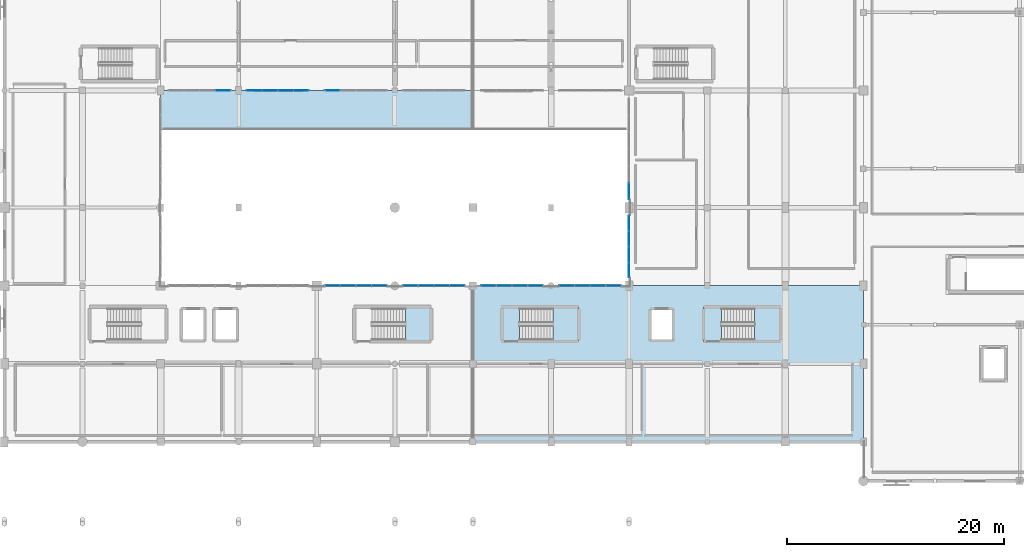
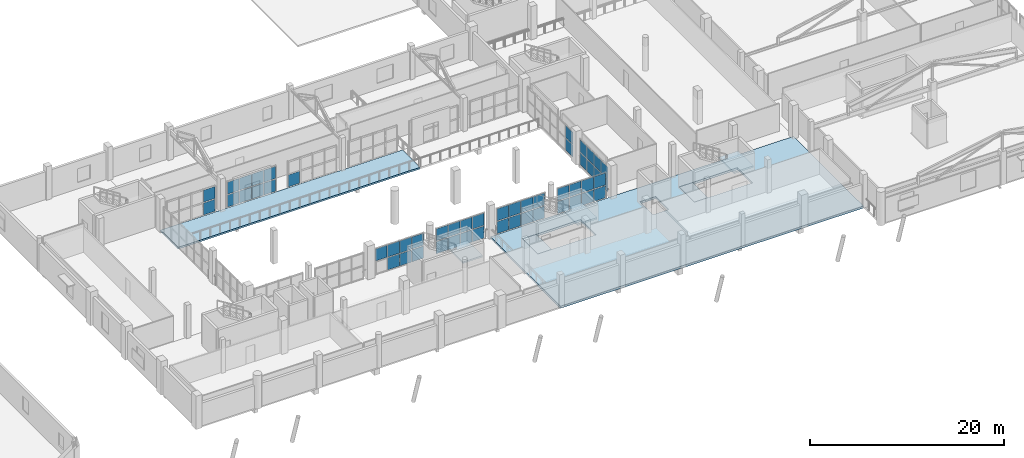
# One storey, part 55 of 92: 52 plates, 7 slabs, 12 elements without a shape of their own.
"""IFC4 building model written with IfcOpenShell, lengths in metres."""

from ifc_helpers import new_model, si_unit, direction, frame, origin, origin_2d, place, context, subcontext, project, spatial, polyline, rectangle, outline, extrude, material, layer, layer_set, type_object, element, aggregate, save


model = new_model("IFC4")

# Units and contexts
model_context = context("Model", 3, precision=1e-05, world=origin(), true_north=direction((0.0, 1.0)))
body_context = subcontext(model_context, "Body", "Model", "MODEL_VIEW")
ifc_project = project(units=[si_unit("LENGTHUNIT", "METRE"), si_unit("AREAUNIT", "SQUARE_METRE"), si_unit("VOLUMEUNIT", "CUBIC_METRE"), si_unit("PLANEANGLEUNIT", "RADIAN"), si_unit("MASSUNIT", "GRAM", prefix="KILO")], contexts=[model_context])

# Site, building, storey
site_placement = place(None, origin())
site = spatial("IfcSite", under=ifc_project, at=site_placement, CompositionType="ELEMENT")
building_placement = place(site_placement, origin())
building = spatial("IfcBuilding", under=site, at=building_placement, Name="Solanera Park Tramway Depot", CompositionType="ELEMENT")
storey_placement = place(building_placement, frame((0.0, 0.0, 4.800048828125)))
storey = spatial("IfcBuildingStorey", under=building, at=storey_placement, Name="L01", CompositionType="ELEMENT", Elevation=4.800048828125)

# Curtain wall, plates
ifc_material_1 = material(Name="Bronze-anodised thermally broken aluminium curtain wall", Category="aluminium")
curtain_wall_type = type_object("IfcCurtainWallType", Name="Courtyard Cloister Unitised Curtain Wall", PredefinedType="NOTDEFINED", material=ifc_material_1)
curtain_wall_1_placement = place(storey_placement, origin())
curtain_wall_1 = element("IfcCurtainWall", 1, at=curtain_wall_1_placement, inside=storey, type_object=curtain_wall_type, Name="L01 Courtyard Cloister Unitised Curtain Wall #090", PredefinedType="NOTDEFINED")
ifc_material_2 = material(Name="Low-E laminated solar-control double glazing", Category="glass")
ifc_layer_1 = layer(ifc_material_2, 0.028076171875)
ifc_layer_set_1 = layer_set([ifc_layer_1], Name="Low-E laminated solar-control double glazing")
plate_type = type_object("IfcPlateType", Name="Curtain Wall Double Glazing Panel 28", PredefinedType="CURTAIN_PANEL", material=ifc_layer_set_1)
plate_1_placement = place(storey_placement, frame((139.675048828125, 25.199951171875, 0.11181640625), z_axis=(0.0, 0.0, 1.0), x_axis=(1.0, 0.0, 0.0)))
plate_1 = element("IfcPlate", 2, at=plate_1_placement, type_object=plate_type, Name="CW-L01-090 Glazing Panel R1.C2", PredefinedType="CURTAIN_PANEL", context=body_context, shape_type="SweptSolid", body=[
    extrude(rectangle(XDim=1.39794921875, YDim=0.028076171875, at=origin_2d()), origin(), (0.0, 0.0, 1.0), 1.510986328125),
])
plate_2_placement = place(storey_placement, frame((141.125, 25.199951171875, 0.11181640625), z_axis=(0.0, 0.0, 1.0), x_axis=(1.0, 0.0, 0.0)))
plate_2 = element("IfcPlate", 3, at=plate_2_placement, type_object=plate_type, Name="CW-L01-090 Glazing Panel R1.C3", PredefinedType="CURTAIN_PANEL", context=body_context, shape_type="SweptSolid", body=[
    extrude(rectangle(XDim=1.39794921875, YDim=0.028076171875, at=origin_2d()), origin(), (0.0, 0.0, 1.0), 1.510986328125),
])
plate_3_placement = place(storey_placement, frame((142.558837890625, 25.199951171875, 0.11181640625), z_axis=(0.0, 0.0, 1.0), x_axis=(1.0, 0.0, 0.0)))
plate_3 = element("IfcPlate", 4, at=plate_3_placement, type_object=plate_type, Name="CW-L01-090 Glazing Panel R1.C4", PredefinedType="CURTAIN_PANEL", context=body_context, shape_type="SweptSolid", body=[
    extrude(rectangle(XDim=1.365478515625, YDim=0.028076171875, at=origin_2d()), origin(), (0.0, 0.0, 1.0), 1.510986328125),
])
plate_4_placement = place(storey_placement, frame((138.2412109375, 25.199951171875, 1.72705078125), z_axis=(0.0, 0.0, 1.0), x_axis=(1.0, 0.0, 0.0)))
plate_4 = element("IfcPlate", 5, at=plate_4_placement, type_object=plate_type, Name="CW-L01-090 Glazing Panel R2.C1", PredefinedType="CURTAIN_PANEL", context=body_context, shape_type="SweptSolid", body=[
    extrude(rectangle(XDim=1.365478515625, YDim=0.028076171875, at=origin_2d()), origin(), (0.0, 0.0, 1.0), 1.510986328125),
])
plate_5_placement = place(storey_placement, frame((139.675048828125, 25.199951171875, 1.72705078125), z_axis=(0.0, 0.0, 1.0), x_axis=(1.0, 0.0, 0.0)))
plate_5 = element("IfcPlate", 6, at=plate_5_placement, type_object=plate_type, Name="CW-L01-090 Glazing Panel R2.C2", PredefinedType="CURTAIN_PANEL", context=body_context, shape_type="SweptSolid", body=[
    extrude(rectangle(XDim=1.39794921875, YDim=0.028076171875, at=origin_2d()), origin(), (0.0, 0.0, 1.0), 1.510986328125),
])
plate_6_placement = place(storey_placement, frame((141.125, 25.199951171875, 1.72705078125), z_axis=(0.0, 0.0, 1.0), x_axis=(1.0, 0.0, 0.0)))
plate_6 = element("IfcPlate", 7, at=plate_6_placement, type_object=plate_type, Name="CW-L01-090 Glazing Panel R2.C3", PredefinedType="CURTAIN_PANEL", context=body_context, shape_type="SweptSolid", body=[
    extrude(rectangle(XDim=1.39794921875, YDim=0.028076171875, at=origin_2d()), origin(), (0.0, 0.0, 1.0), 1.510986328125),
])
plate_7_placement = place(storey_placement, frame((142.558837890625, 25.199951171875, 1.72705078125), z_axis=(0.0, 0.0, 1.0), x_axis=(1.0, 0.0, 0.0)))
plate_7 = element("IfcPlate", 8, at=plate_7_placement, type_object=plate_type, Name="CW-L01-090 Glazing Panel R2.C4", PredefinedType="CURTAIN_PANEL", context=body_context, shape_type="SweptSolid", body=[
    extrude(rectangle(XDim=1.365478515625, YDim=0.028076171875, at=origin_2d()), origin(), (0.0, 0.0, 1.0), 1.510986328125),
])
aggregate(curtain_wall_1, [plate_1, plate_2, plate_3, plate_4, plate_5, plate_6, plate_7])

curtain_wall_2_placement = place(storey_placement, origin())
curtain_wall_2 = element("IfcCurtainWall", 9, at=curtain_wall_2_placement, inside=storey, type_object=curtain_wall_type, Name="L01 Courtyard Cloister Unitised Curtain Wall #091", PredefinedType="NOTDEFINED")
plate_8_placement = place(storey_placement, frame((145.441162109375, 25.199951171875, 0.11181640625), z_axis=(0.0, 0.0, 1.0), x_axis=(1.0, 0.0, 0.0)))
plate_8 = element("IfcPlate", 10, at=plate_8_placement, type_object=plate_type, Name="CW-L01-091 Glazing Panel R1.C1", PredefinedType="CURTAIN_PANEL", context=body_context, shape_type="SweptSolid", body=[
    extrude(rectangle(XDim=1.365478515625, YDim=0.028076171875, at=origin_2d()), origin(), (0.0, 0.0, 1.0), 1.510986328125),
])
plate_9_placement = place(storey_placement, frame((146.875, 25.199951171875, 0.11181640625), z_axis=(0.0, 0.0, 1.0), x_axis=(1.0, 0.0, 0.0)))
plate_9 = element("IfcPlate", 11, at=plate_9_placement, type_object=plate_type, Name="CW-L01-091 Glazing Panel R1.C2", PredefinedType="CURTAIN_PANEL", context=body_context, shape_type="SweptSolid", body=[
    extrude(rectangle(XDim=1.39794921875, YDim=0.028076171875, at=origin_2d()), origin(), (0.0, 0.0, 1.0), 1.510986328125),
])
plate_10_placement = place(storey_placement, frame((148.324951171875, 25.199951171875, 0.11181640625), z_axis=(0.0, 0.0, 1.0), x_axis=(1.0, 0.0, 0.0)))
plate_10 = element("IfcPlate", 12, at=plate_10_placement, type_object=plate_type, Name="CW-L01-091 Glazing Panel R1.C3", PredefinedType="CURTAIN_PANEL", context=body_context, shape_type="SweptSolid", body=[
    extrude(rectangle(XDim=1.39794921875, YDim=0.028076171875, at=origin_2d()), origin(), (0.0, 0.0, 1.0), 1.510986328125),
])
plate_11_placement = place(storey_placement, frame((149.7587890625, 25.199951171875, 0.11181640625), z_axis=(0.0, 0.0, 1.0), x_axis=(1.0, 0.0, 0.0)))
plate_11 = element("IfcPlate", 13, at=plate_11_placement, type_object=plate_type, Name="CW-L01-091 Glazing Panel R1.C4", PredefinedType="CURTAIN_PANEL", context=body_context, shape_type="SweptSolid", body=[
    extrude(rectangle(XDim=1.365478515625, YDim=0.028076171875, at=origin_2d()), origin(), (0.0, 0.0, 1.0), 1.510986328125),
])
plate_12_placement = place(storey_placement, frame((145.441162109375, 25.199951171875, 1.72705078125), z_axis=(0.0, 0.0, 1.0), x_axis=(1.0, 0.0, 0.0)))
plate_12 = element("IfcPlate", 14, at=plate_12_placement, type_object=plate_type, Name="CW-L01-091 Glazing Panel R2.C1", PredefinedType="CURTAIN_PANEL", context=body_context, shape_type="SweptSolid", body=[
    extrude(rectangle(XDim=1.365478515625, YDim=0.028076171875, at=origin_2d()), origin(), (0.0, 0.0, 1.0), 1.510986328125),
])
plate_13_placement = place(storey_placement, frame((146.875, 25.199951171875, 1.72705078125), z_axis=(0.0, 0.0, 1.0), x_axis=(1.0, 0.0, 0.0)))
plate_13 = element("IfcPlate", 15, at=plate_13_placement, type_object=plate_type, Name="CW-L01-091 Glazing Panel R2.C2", PredefinedType="CURTAIN_PANEL", context=body_context, shape_type="SweptSolid", body=[
    extrude(rectangle(XDim=1.39794921875, YDim=0.028076171875, at=origin_2d()), origin(), (0.0, 0.0, 1.0), 1.510986328125),
])
plate_14_placement = place(storey_placement, frame((148.324951171875, 25.199951171875, 1.72705078125), z_axis=(0.0, 0.0, 1.0), x_axis=(1.0, 0.0, 0.0)))
plate_14 = element("IfcPlate", 16, at=plate_14_placement, type_object=plate_type, Name="CW-L01-091 Glazing Panel R2.C3", PredefinedType="CURTAIN_PANEL", context=body_context, shape_type="SweptSolid", body=[
    extrude(rectangle(XDim=1.39794921875, YDim=0.028076171875, at=origin_2d()), origin(), (0.0, 0.0, 1.0), 1.510986328125),
])
plate_15_placement = place(storey_placement, frame((149.7587890625, 25.199951171875, 1.72705078125), z_axis=(0.0, 0.0, 1.0), x_axis=(1.0, 0.0, 0.0)))
plate_15 = element("IfcPlate", 17, at=plate_15_placement, type_object=plate_type, Name="CW-L01-091 Glazing Panel R2.C4", PredefinedType="CURTAIN_PANEL", context=body_context, shape_type="SweptSolid", body=[
    extrude(rectangle(XDim=1.365478515625, YDim=0.028076171875, at=origin_2d()), origin(), (0.0, 0.0, 1.0), 1.510986328125),
])
aggregate(curtain_wall_2, [plate_8, plate_9, plate_10, plate_11, plate_12, plate_13, plate_14, plate_15])

curtain_wall_3_placement = place(storey_placement, origin())
curtain_wall_3 = element("IfcCurtainWall", 18, at=curtain_wall_3_placement, inside=storey, type_object=curtain_wall_type, Name="L01 Courtyard Cloister Unitised Curtain Wall #092", PredefinedType="NOTDEFINED")
plate_16_placement = place(storey_placement, frame((152.641357421875, 25.199951171875, 0.11181640625), z_axis=(0.0, 0.0, 1.0), x_axis=(1.0, 0.0, 0.0)))
plate_16 = element("IfcPlate", 19, at=plate_16_placement, type_object=plate_type, Name="CW-L01-092 Glazing Panel R1.C1", PredefinedType="CURTAIN_PANEL", context=body_context, shape_type="SweptSolid", body=[
    extrude(rectangle(XDim=1.365478515625, YDim=0.028076171875, at=origin_2d()), origin(), (0.0, 0.0, 1.0), 1.510986328125),
])
plate_17_placement = place(storey_placement, frame((154.074951171875, 25.199951171875, 0.11181640625), z_axis=(0.0, 0.0, 1.0), x_axis=(1.0, 0.0, 0.0)))
plate_17 = element("IfcPlate", 20, at=plate_17_placement, type_object=plate_type, Name="CW-L01-092 Glazing Panel R1.C2", PredefinedType="CURTAIN_PANEL", context=body_context, shape_type="SweptSolid", body=[
    extrude(rectangle(XDim=1.39794921875, YDim=0.028076171875, at=origin_2d()), origin(), (0.0, 0.0, 1.0), 1.510986328125),
])
plate_18_placement = place(storey_placement, frame((155.52490234375, 25.199951171875, 0.11181640625), z_axis=(0.0, 0.0, 1.0), x_axis=(1.0, 0.0, 0.0)))
plate_18 = element("IfcPlate", 21, at=plate_18_placement, type_object=plate_type, Name="CW-L01-092 Glazing Panel R1.C3", PredefinedType="CURTAIN_PANEL", context=body_context, shape_type="SweptSolid", body=[
    extrude(rectangle(XDim=1.39794921875, YDim=0.028076171875, at=origin_2d()), origin(), (0.0, 0.0, 1.0), 1.510986328125),
])
plate_19_placement = place(storey_placement, frame((156.958740234375, 25.199951171875, 0.11181640625), z_axis=(0.0, 0.0, 1.0), x_axis=(1.0, 0.0, 0.0)))
plate_19 = element("IfcPlate", 22, at=plate_19_placement, type_object=plate_type, Name="CW-L01-092 Glazing Panel R1.C4", PredefinedType="CURTAIN_PANEL", context=body_context, shape_type="SweptSolid", body=[
    extrude(rectangle(XDim=1.365478515625, YDim=0.028076171875, at=origin_2d()), origin(), (0.0, 0.0, 1.0), 1.510986328125),
])
plate_20_placement = place(storey_placement, frame((152.641357421875, 25.199951171875, 1.72705078125), z_axis=(0.0, 0.0, 1.0), x_axis=(1.0, 0.0, 0.0)))
plate_20 = element("IfcPlate", 23, at=plate_20_placement, type_object=plate_type, Name="CW-L01-092 Glazing Panel R2.C1", PredefinedType="CURTAIN_PANEL", context=body_context, shape_type="SweptSolid", body=[
    extrude(rectangle(XDim=1.365478515625, YDim=0.028076171875, at=origin_2d()), origin(), (0.0, 0.0, 1.0), 1.510986328125),
])
plate_21_placement = place(storey_placement, frame((154.074951171875, 25.199951171875, 1.72705078125), z_axis=(0.0, 0.0, 1.0), x_axis=(1.0, 0.0, 0.0)))
plate_21 = element("IfcPlate", 24, at=plate_21_placement, type_object=plate_type, Name="CW-L01-092 Glazing Panel R2.C2", PredefinedType="CURTAIN_PANEL", context=body_context, shape_type="SweptSolid", body=[
    extrude(rectangle(XDim=1.39794921875, YDim=0.028076171875, at=origin_2d()), origin(), (0.0, 0.0, 1.0), 1.510986328125),
])
plate_22_placement = place(storey_placement, frame((155.52490234375, 25.199951171875, 1.72705078125), z_axis=(0.0, 0.0, 1.0), x_axis=(1.0, 0.0, 0.0)))
plate_22 = element("IfcPlate", 25, at=plate_22_placement, type_object=plate_type, Name="CW-L01-092 Glazing Panel R2.C3", PredefinedType="CURTAIN_PANEL", context=body_context, shape_type="SweptSolid", body=[
    extrude(rectangle(XDim=1.39794921875, YDim=0.028076171875, at=origin_2d()), origin(), (0.0, 0.0, 1.0), 1.510986328125),
])
plate_23_placement = place(storey_placement, frame((156.958740234375, 25.199951171875, 1.72705078125), z_axis=(0.0, 0.0, 1.0), x_axis=(1.0, 0.0, 0.0)))
plate_23 = element("IfcPlate", 26, at=plate_23_placement, type_object=plate_type, Name="CW-L01-092 Glazing Panel R2.C4", PredefinedType="CURTAIN_PANEL", context=body_context, shape_type="SweptSolid", body=[
    extrude(rectangle(XDim=1.365478515625, YDim=0.028076171875, at=origin_2d()), origin(), (0.0, 0.0, 1.0), 1.510986328125),
])
aggregate(curtain_wall_3, [plate_16, plate_17, plate_18, plate_19, plate_20, plate_21, plate_22, plate_23])

curtain_wall_4_placement = place(storey_placement, origin())
curtain_wall_4 = element("IfcCurtainWall", 27, at=curtain_wall_4_placement, inside=storey, type_object=curtain_wall_type, Name="L01 Courtyard Cloister Unitised Curtain Wall #093", PredefinedType="NOTDEFINED")
plate_24_placement = place(storey_placement, frame((159.84130859375, 25.199951171875, 0.11181640625), z_axis=(0.0, 0.0, 1.0), x_axis=(1.0, 0.0, 0.0)))
plate_24 = element("IfcPlate", 28, at=plate_24_placement, type_object=plate_type, Name="CW-L01-093 Glazing Panel R1.C1", PredefinedType="CURTAIN_PANEL", context=body_context, shape_type="SweptSolid", body=[
    extrude(rectangle(XDim=1.365478515625, YDim=0.028076171875, at=origin_2d()), origin(), (0.0, 0.0, 1.0), 1.510986328125),
])
plate_25_placement = place(storey_placement, frame((161.27490234375, 25.199951171875, 0.11181640625), z_axis=(0.0, 0.0, 1.0), x_axis=(1.0, 0.0, 0.0)))
plate_25 = element("IfcPlate", 29, at=plate_25_placement, type_object=plate_type, Name="CW-L01-093 Glazing Panel R1.C2", PredefinedType="CURTAIN_PANEL", context=body_context, shape_type="SweptSolid", body=[
    extrude(rectangle(XDim=1.39794921875, YDim=0.028076171875, at=origin_2d()), origin(), (0.0, 0.0, 1.0), 1.510986328125),
])
plate_26_placement = place(storey_placement, frame((162.72509765625, 25.199951171875, 0.11181640625), z_axis=(0.0, 0.0, 1.0), x_axis=(1.0, 0.0, 0.0)))
plate_26 = element("IfcPlate", 30, at=plate_26_placement, type_object=plate_type, Name="CW-L01-093 Glazing Panel R1.C3", PredefinedType="CURTAIN_PANEL", context=body_context, shape_type="SweptSolid", body=[
    extrude(rectangle(XDim=1.39794921875, YDim=0.028076171875, at=origin_2d()), origin(), (0.0, 0.0, 1.0), 1.510986328125),
])
plate_27_placement = place(storey_placement, frame((164.15869140625, 25.199951171875, 0.11181640625), z_axis=(0.0, 0.0, 1.0), x_axis=(1.0, 0.0, 0.0)))
plate_27 = element("IfcPlate", 31, at=plate_27_placement, type_object=plate_type, Name="CW-L01-093 Glazing Panel R1.C4", PredefinedType="CURTAIN_PANEL", context=body_context, shape_type="SweptSolid", body=[
    extrude(rectangle(XDim=1.365478515625, YDim=0.028076171875, at=origin_2d()), origin(), (0.0, 0.0, 1.0), 1.510986328125),
])
plate_28_placement = place(storey_placement, frame((159.84130859375, 25.199951171875, 1.72705078125), z_axis=(0.0, 0.0, 1.0), x_axis=(1.0, 0.0, 0.0)))
plate_28 = element("IfcPlate", 32, at=plate_28_placement, type_object=plate_type, Name="CW-L01-093 Glazing Panel R2.C1", PredefinedType="CURTAIN_PANEL", context=body_context, shape_type="SweptSolid", body=[
    extrude(rectangle(XDim=1.365478515625, YDim=0.028076171875, at=origin_2d()), origin(), (0.0, 0.0, 1.0), 1.510986328125),
])
plate_29_placement = place(storey_placement, frame((161.27490234375, 25.199951171875, 1.72705078125), z_axis=(0.0, 0.0, 1.0), x_axis=(1.0, 0.0, 0.0)))
plate_29 = element("IfcPlate", 33, at=plate_29_placement, type_object=plate_type, Name="CW-L01-093 Glazing Panel R2.C2", PredefinedType="CURTAIN_PANEL", context=body_context, shape_type="SweptSolid", body=[
    extrude(rectangle(XDim=1.39794921875, YDim=0.028076171875, at=origin_2d()), origin(), (0.0, 0.0, 1.0), 1.510986328125),
])
plate_30_placement = place(storey_placement, frame((162.72509765625, 25.199951171875, 1.72705078125), z_axis=(0.0, 0.0, 1.0), x_axis=(1.0, 0.0, 0.0)))
plate_30 = element("IfcPlate", 34, at=plate_30_placement, type_object=plate_type, Name="CW-L01-093 Glazing Panel R2.C3", PredefinedType="CURTAIN_PANEL", context=body_context, shape_type="SweptSolid", body=[
    extrude(rectangle(XDim=1.39794921875, YDim=0.028076171875, at=origin_2d()), origin(), (0.0, 0.0, 1.0), 1.510986328125),
])
plate_31_placement = place(storey_placement, frame((164.15869140625, 25.199951171875, 1.72705078125), z_axis=(0.0, 0.0, 1.0), x_axis=(1.0, 0.0, 0.0)))
plate_31 = element("IfcPlate", 35, at=plate_31_placement, type_object=plate_type, Name="CW-L01-093 Glazing Panel R2.C4", PredefinedType="CURTAIN_PANEL", context=body_context, shape_type="SweptSolid", body=[
    extrude(rectangle(XDim=1.365478515625, YDim=0.028076171875, at=origin_2d()), origin(), (0.0, 0.0, 1.0), 1.510986328125),
])
aggregate(curtain_wall_4, [plate_24, plate_25, plate_26, plate_27, plate_28, plate_29, plate_30, plate_31])

curtain_wall_5_placement = place(storey_placement, origin())
curtain_wall_5 = element("IfcCurtainWall", 36, at=curtain_wall_5_placement, inside=storey, type_object=curtain_wall_type, Name="L01 Courtyard Cloister Unitised Curtain Wall #094", PredefinedType="NOTDEFINED")
plate_32_placement = place(storey_placement, frame((128.15869140625, 43.199951171875, 0.11181640625), z_axis=(0.0, 0.0, 1.0), x_axis=(-1.0, 0.0, 0.0)))
plate_32 = element("IfcPlate", 37, at=plate_32_placement, type_object=plate_type, Name="CW-L01-094 Glazing Panel R1.C1", PredefinedType="CURTAIN_PANEL", context=body_context, shape_type="SweptSolid", body=[
    extrude(rectangle(XDim=1.365478515625, YDim=0.028076171875, at=origin_2d()), origin(), (0.0, 0.0, 1.0), 1.510986328125),
])
plate_33_placement = place(storey_placement, frame((128.15869140625, 43.199951171875, 1.72705078125), z_axis=(0.0, 0.0, 1.0), x_axis=(-1.0, 0.0, 0.0)))
plate_33 = element("IfcPlate", 38, at=plate_33_placement, type_object=plate_type, Name="CW-L01-094 Glazing Panel R2.C1", PredefinedType="CURTAIN_PANEL", context=body_context, shape_type="SweptSolid", body=[
    extrude(rectangle(XDim=1.365478515625, YDim=0.028076171875, at=origin_2d()), origin(), (0.0, 0.0, 1.0), 1.510986328125),
])
aggregate(curtain_wall_5, [plate_32, plate_33])

curtain_wall_6_placement = place(storey_placement, origin())
curtain_wall_6 = element("IfcCurtainWall", 39, at=curtain_wall_6_placement, inside=storey, type_object=curtain_wall_type, Name="L01 Courtyard Cloister Unitised Curtain Wall #095", PredefinedType="NOTDEFINED")
plate_34_placement = place(storey_placement, frame((135.358642578125, 43.199951171875, 0.11181640625), z_axis=(0.0, 0.0, 1.0), x_axis=(-1.0, 0.0, 0.0)))
plate_34 = element("IfcPlate", 40, at=plate_34_placement, type_object=plate_type, Name="CW-L01-095 Glazing Panel R1.C1", PredefinedType="CURTAIN_PANEL", context=body_context, shape_type="SweptSolid", body=[
    extrude(rectangle(XDim=1.365478515625, YDim=0.028076171875, at=origin_2d()), origin(), (0.0, 0.0, 1.0), 1.510986328125),
])
plate_35_placement = place(storey_placement, frame((133.925048828125, 43.199951171875, 0.11181640625), z_axis=(0.0, 0.0, 1.0), x_axis=(-1.0, 0.0, 0.0)))
plate_35 = element("IfcPlate", 41, at=plate_35_placement, type_object=plate_type, Name="CW-L01-095 Glazing Panel R1.C2", PredefinedType="CURTAIN_PANEL", context=body_context, shape_type="SweptSolid", body=[
    extrude(rectangle(XDim=1.39794921875, YDim=0.028076171875, at=origin_2d()), origin(), (0.0, 0.0, 1.0), 1.510986328125),
])
plate_36_placement = place(storey_placement, frame((132.47509765625, 43.199951171875, 0.11181640625), z_axis=(0.0, 0.0, 1.0), x_axis=(-1.0, 0.0, 0.0)))
plate_36 = element("IfcPlate", 42, at=plate_36_placement, type_object=plate_type, Name="CW-L01-095 Glazing Panel R1.C3", PredefinedType="CURTAIN_PANEL", context=body_context, shape_type="SweptSolid", body=[
    extrude(rectangle(XDim=1.39794921875, YDim=0.028076171875, at=origin_2d()), origin(), (0.0, 0.0, 1.0), 1.510986328125),
])
plate_37_placement = place(storey_placement, frame((131.041259765625, 43.199951171875, 0.11181640625), z_axis=(0.0, 0.0, 1.0), x_axis=(-1.0, 0.0, 0.0)))
plate_37 = element("IfcPlate", 43, at=plate_37_placement, type_object=plate_type, Name="CW-L01-095 Glazing Panel R1.C4", PredefinedType="CURTAIN_PANEL", context=body_context, shape_type="SweptSolid", body=[
    extrude(rectangle(XDim=1.365478515625, YDim=0.028076171875, at=origin_2d()), origin(), (0.0, 0.0, 1.0), 1.510986328125),
])
plate_38_placement = place(storey_placement, frame((135.358642578125, 43.199951171875, 1.72705078125), z_axis=(0.0, 0.0, 1.0), x_axis=(-1.0, 0.0, 0.0)))
plate_38 = element("IfcPlate", 44, at=plate_38_placement, type_object=plate_type, Name="CW-L01-095 Glazing Panel R2.C1", PredefinedType="CURTAIN_PANEL", context=body_context, shape_type="SweptSolid", body=[
    extrude(rectangle(XDim=1.365478515625, YDim=0.028076171875, at=origin_2d()), origin(), (0.0, 0.0, 1.0), 1.510986328125),
])
plate_39_placement = place(storey_placement, frame((133.925048828125, 43.199951171875, 1.72705078125), z_axis=(0.0, 0.0, 1.0), x_axis=(-1.0, 0.0, 0.0)))
plate_39 = element("IfcPlate", 45, at=plate_39_placement, type_object=plate_type, Name="CW-L01-095 Glazing Panel R2.C2", PredefinedType="CURTAIN_PANEL", context=body_context, shape_type="SweptSolid", body=[
    extrude(rectangle(XDim=1.39794921875, YDim=0.028076171875, at=origin_2d()), origin(), (0.0, 0.0, 1.0), 1.510986328125),
])
plate_40_placement = place(storey_placement, frame((132.47509765625, 43.199951171875, 1.72705078125), z_axis=(0.0, 0.0, 1.0), x_axis=(-1.0, 0.0, 0.0)))
plate_40 = element("IfcPlate", 46, at=plate_40_placement, type_object=plate_type, Name="CW-L01-095 Glazing Panel R2.C3", PredefinedType="CURTAIN_PANEL", context=body_context, shape_type="SweptSolid", body=[
    extrude(rectangle(XDim=1.39794921875, YDim=0.028076171875, at=origin_2d()), origin(), (0.0, 0.0, 1.0), 1.510986328125),
])
plate_41_placement = place(storey_placement, frame((131.041259765625, 43.199951171875, 1.72705078125), z_axis=(0.0, 0.0, 1.0), x_axis=(-1.0, 0.0, 0.0)))
plate_41 = element("IfcPlate", 47, at=plate_41_placement, type_object=plate_type, Name="CW-L01-095 Glazing Panel R2.C4", PredefinedType="CURTAIN_PANEL", context=body_context, shape_type="SweptSolid", body=[
    extrude(rectangle(XDim=1.365478515625, YDim=0.028076171875, at=origin_2d()), origin(), (0.0, 0.0, 1.0), 1.510986328125),
])
aggregate(curtain_wall_6, [plate_34, plate_35, plate_36, plate_37, plate_38, plate_39, plate_40, plate_41])

# Curtain wall, plate
curtain_wall_7_placement = place(storey_placement, origin())
curtain_wall_7 = element("IfcCurtainWall", 48, at=curtain_wall_7_placement, inside=storey, type_object=curtain_wall_type, Name="L01 Courtyard Cloister Unitised Curtain Wall #096", PredefinedType="NOTDEFINED")
plate_42_placement = place(storey_placement, frame((138.2412109375, 43.199951171875, 0.11181640625), z_axis=(0.0, 0.0, 1.0), x_axis=(-1.0, 0.0, 0.0)))
plate_42 = element("IfcPlate", 49, at=plate_42_placement, type_object=plate_type, Name="CW-L01-096 Glazing Panel R1.C4", PredefinedType="CURTAIN_PANEL", context=body_context, shape_type="SweptSolid", body=[
    extrude(rectangle(XDim=1.365478515625, YDim=0.028076171875, at=origin_2d()), origin(), (0.0, 0.0, 1.0), 1.510986328125),
])
aggregate(curtain_wall_7, [plate_42])

# Curtain wall, plates
curtain_wall_8_placement = place(storey_placement, origin())
curtain_wall_8 = element("IfcCurtainWall", 50, at=curtain_wall_8_placement, inside=storey, type_object=curtain_wall_type, Name="L01 Courtyard Cloister Unitised Curtain Wall #101", PredefinedType="NOTDEFINED")
plate_43_placement = place(storey_placement, frame((165.60009765625, 30.958740234375, 0.11181640625), z_axis=(0.0, 0.0, 1.0), x_axis=(0.0, -1.0, 0.0)))
plate_43 = element("IfcPlate", 51, at=plate_43_placement, type_object=plate_type, Name="CW-L01-101 Glazing Panel R1.C1", PredefinedType="CURTAIN_PANEL", context=body_context, shape_type="SweptSolid", body=[
    extrude(rectangle(XDim=1.365478515625, YDim=0.028076171875, at=origin_2d()), origin(), (0.0, 0.0, 1.0), 1.510986328125),
])
plate_44_placement = place(storey_placement, frame((165.60009765625, 29.52490234375, 0.11181640625), z_axis=(0.0, 0.0, 1.0), x_axis=(0.0, -1.0, 0.0)))
plate_44 = element("IfcPlate", 52, at=plate_44_placement, type_object=plate_type, Name="CW-L01-101 Glazing Panel R1.C2", PredefinedType="CURTAIN_PANEL", context=body_context, shape_type="SweptSolid", body=[
    extrude(rectangle(XDim=1.39794921875, YDim=0.028076171875, at=origin_2d()), origin(), (0.0, 0.0, 1.0), 1.510986328125),
])
plate_45_placement = place(storey_placement, frame((165.60009765625, 28.074951171875, 0.11181640625), z_axis=(0.0, 0.0, 1.0), x_axis=(0.0, -1.0, 0.0)))
plate_45 = element("IfcPlate", 53, at=plate_45_placement, type_object=plate_type, Name="CW-L01-101 Glazing Panel R1.C3", PredefinedType="CURTAIN_PANEL", context=body_context, shape_type="SweptSolid", body=[
    extrude(rectangle(XDim=1.39794921875, YDim=0.028076171875, at=origin_2d()), origin(), (0.0, 0.0, 1.0), 1.510986328125),
])
plate_46_placement = place(storey_placement, frame((165.60009765625, 26.64111328125, 0.11181640625), z_axis=(0.0, 0.0, 1.0), x_axis=(0.0, -1.0, 0.0)))
plate_46 = element("IfcPlate", 54, at=plate_46_placement, type_object=plate_type, Name="CW-L01-101 Glazing Panel R1.C4", PredefinedType="CURTAIN_PANEL", context=body_context, shape_type="SweptSolid", body=[
    extrude(rectangle(XDim=1.365478515625, YDim=0.028076171875, at=origin_2d()), origin(), (0.0, 0.0, 1.0), 1.510986328125),
])
plate_47_placement = place(storey_placement, frame((165.60009765625, 30.958740234375, 1.72705078125), z_axis=(0.0, 0.0, 1.0), x_axis=(0.0, -1.0, 0.0)))
plate_47 = element("IfcPlate", 55, at=plate_47_placement, type_object=plate_type, Name="CW-L01-101 Glazing Panel R2.C1", PredefinedType="CURTAIN_PANEL", context=body_context, shape_type="SweptSolid", body=[
    extrude(rectangle(XDim=1.365478515625, YDim=0.028076171875, at=origin_2d()), origin(), (0.0, 0.0, 1.0), 1.510986328125),
])
plate_48_placement = place(storey_placement, frame((165.60009765625, 29.52490234375, 1.72705078125), z_axis=(0.0, 0.0, 1.0), x_axis=(0.0, -1.0, 0.0)))
plate_48 = element("IfcPlate", 56, at=plate_48_placement, type_object=plate_type, Name="CW-L01-101 Glazing Panel R2.C2", PredefinedType="CURTAIN_PANEL", context=body_context, shape_type="SweptSolid", body=[
    extrude(rectangle(XDim=1.39794921875, YDim=0.028076171875, at=origin_2d()), origin(), (0.0, 0.0, 1.0), 1.510986328125),
])
plate_49_placement = place(storey_placement, frame((165.60009765625, 28.074951171875, 1.72705078125), z_axis=(0.0, 0.0, 1.0), x_axis=(0.0, -1.0, 0.0)))
plate_49 = element("IfcPlate", 57, at=plate_49_placement, type_object=plate_type, Name="CW-L01-101 Glazing Panel R2.C3", PredefinedType="CURTAIN_PANEL", context=body_context, shape_type="SweptSolid", body=[
    extrude(rectangle(XDim=1.39794921875, YDim=0.028076171875, at=origin_2d()), origin(), (0.0, 0.0, 1.0), 1.510986328125),
])
plate_50_placement = place(storey_placement, frame((165.60009765625, 26.64111328125, 1.72705078125), z_axis=(0.0, 0.0, 1.0), x_axis=(0.0, -1.0, 0.0)))
plate_50 = element("IfcPlate", 58, at=plate_50_placement, type_object=plate_type, Name="CW-L01-101 Glazing Panel R2.C4", PredefinedType="CURTAIN_PANEL", context=body_context, shape_type="SweptSolid", body=[
    extrude(rectangle(XDim=1.365478515625, YDim=0.028076171875, at=origin_2d()), origin(), (0.0, 0.0, 1.0), 1.510986328125),
])
aggregate(curtain_wall_8, [plate_43, plate_44, plate_45, plate_46, plate_47, plate_48, plate_49, plate_50])

curtain_wall_9_placement = place(storey_placement, origin())
curtain_wall_9 = element("IfcCurtainWall", 59, at=curtain_wall_9_placement, inside=storey, type_object=curtain_wall_type, Name="L01 Courtyard Cloister Unitised Curtain Wall #103", PredefinedType="NOTDEFINED")
plate_51_placement = place(storey_placement, frame((165.60009765625, 33.899658203125, 0.11181640625), z_axis=(0.0, 0.0, 1.0), x_axis=(0.0, -1.0, 0.0)))
plate_51 = element("IfcPlate", 60, at=plate_51_placement, type_object=plate_type, Name="CW-L01-103 Glazing Panel R1.C6", PredefinedType="CURTAIN_PANEL", context=body_context, shape_type="SweptSolid", body=[
    extrude(rectangle(XDim=1.482177734375, YDim=0.028076171875, at=origin_2d()), origin(), (0.0, 0.0, 1.0), 1.510986328125),
])
plate_52_placement = place(storey_placement, frame((165.60009765625, 33.899658203125, 1.72705078125), z_axis=(0.0, 0.0, 1.0), x_axis=(0.0, -1.0, 0.0)))
plate_52 = element("IfcPlate", 61, at=plate_52_placement, type_object=plate_type, Name="CW-L01-103 Glazing Panel R2.C6", PredefinedType="CURTAIN_PANEL", context=body_context, shape_type="SweptSolid", body=[
    extrude(rectangle(XDim=1.482177734375, YDim=0.028076171875, at=origin_2d()), origin(), (0.0, 0.0, 1.0), 1.510986328125),
])
aggregate(curtain_wall_9, [plate_51, plate_52])

# Slabs
ifc_material_3 = material(Name="Concrete N40 (C40/50)", Category="concrete")
ifc_layer_2 = layer(ifc_material_3, 0.2099609375)
ifc_layer_set_2 = layer_set([ifc_layer_2], Name="Concrete N40 (C40/50)")
slab_type_1 = type_object("IfcSlabType", Name="Slab Ext 210", PredefinedType="FLOOR", material=ifc_layer_set_2)
slab_1_placement = place(storey_placement, frame((0.0, 0.0, -0.2099609375)))
element("IfcSlab", 62, at=slab_1_placement, inside=storey, type_object=slab_type_1, Name="L01 Courtyard Corredor Azotea Terrace West", PredefinedType="FLOOR", context=body_context, shape_type="SweptSolid", body=[
    extrude(outline(polyline([(151.14990234375, 39.60009765625), (151.14990234375, 43.199951171875), (122.39990234375, 43.199951171875), (122.39990234375, 39.60009765625), (151.14990234375, 39.60009765625)])), origin(), (0.0, 0.0, 1.0), 0.2099609375),
])
ifc_material_4 = material(Name="Concrete N40 (C40/50)", Category="concrete")
ifc_layer_3 = layer(ifc_material_4, 0.27490234375)
ifc_layer_set_3 = layer_set([ifc_layer_3], Name="Concrete N40 (C40/50)")
slab_type_2 = type_object("IfcSlabType", Name="Slab Floor 275", PredefinedType="FLOOR", material=ifc_layer_set_3)
slab_2_placement = place(storey_placement, frame((0.0, 0.0, -0.275146484375)))
element("IfcSlab", 63, at=slab_2_placement, inside=storey, type_object=slab_type_2, Name="L01 Structural Slab SL-L01-V4SE", PredefinedType="FLOOR", context=body_context, shape_type="SweptSolid", body=[
    extrude(outline(polyline([(187.199951171875, 25.199951171875), (187.199951171875, 10.800048828125), (151.199951171875, 10.800048828125), (151.199951171875, 25.199951171875), (187.199951171875, 25.199951171875)]), holes=[polyline([(153.875, 20.074951171875), (160.800048828125, 20.074951171875), (160.800048828125, 23.22509765625), (153.875, 23.22509765625), (153.875, 20.074951171875)]), polyline([(172.47509765625, 23.22509765625), (172.47509765625, 20.074951171875), (179.39990234375, 20.074951171875), (179.39990234375, 23.22509765625), (172.47509765625, 23.22509765625)]), polyline([(169.550048828125, 22.949951171875), (167.64990234375, 22.949951171875), (167.64990234375, 20.25), (169.550048828125, 20.25), (169.550048828125, 22.949951171875)])]), origin(), (0.0, 0.0, 1.0), 0.275146484375),
])
ifc_material_5 = material(Name="Concrete N40 (C40/50)", Category="concrete")
ifc_layer_4 = layer(ifc_material_5, 0.27490234375)
ifc_layer_set_4 = layer_set([ifc_layer_4], Name="Concrete N40 (C40/50)")
slab_type_3 = type_object("IfcSlabType", Name="Slab Stair Floor Landing 275", PredefinedType="LANDING", material=ifc_layer_set_4)
slab_3_placement = place(storey_placement, frame((0.0, 0.0, -0.275146484375)))
element("IfcSlab", 64, at=slab_3_placement, inside=storey, type_object=slab_type_3, Name="ST-03 L01 Floor Landing", PredefinedType="LANDING", context=body_context, shape_type="SweptSolid", body=[
    extrude(outline(polyline([(153.8798828125, 20.080078125), (155.5, 20.080078125), (155.5, 23.219970703125), (153.8798828125, 23.219970703125), (153.8798828125, 20.080078125)])), origin(), (0.0, 0.0, 1.0), 0.275146484375),
])
slab_4_placement = place(storey_placement, frame((0.0, 0.0, -0.275146484375)))
element("IfcSlab", 65, at=slab_4_placement, inside=storey, type_object=slab_type_3, Name="ST-04 L01 Floor Landing", PredefinedType="LANDING", context=body_context, shape_type="SweptSolid", body=[
    extrude(outline(polyline([(172.47998046875, 20.080078125), (174.10009765625, 20.080078125), (174.10009765625, 23.219970703125), (172.47998046875, 23.219970703125), (172.47998046875, 20.080078125)])), origin(), (0.0, 0.0, 1.0), 0.275146484375),
])

# Stair, slab
ifc_material_6 = material(Name="Concrete N40 (C40/50)", Category="concrete")
stair_type = type_object("IfcStairType", Name="Stair Half-Turn Dogleg 4200", PredefinedType="HALF_TURN_STAIR", material=ifc_material_6)
stair_1_placement = place(storey_placement, origin())
stair_1 = element("IfcStair", 66, at=stair_1_placement, inside=storey, type_object=stair_type, Name="ST-02 L01 Half-Turn Stair", PredefinedType="HALF_TURN_STAIR")
ifc_material_7 = material(Name="Concrete N40 (C40/50)", Category="concrete")
ifc_layer_5 = layer(ifc_material_7, 0.199951171875)
ifc_layer_set_5 = layer_set([ifc_layer_5], Name="Concrete N40 (C40/50)")
slab_type_4 = type_object("IfcSlabType", Name="Slab Stair Landing 200", PredefinedType="LANDING", material=ifc_layer_set_5)
slab_5_placement = place(storey_placement, frame((0.0, 0.0, 1.89990234375)))
slab_5 = element("IfcSlab", 67, at=slab_5_placement, type_object=slab_type_4, Name="ST-02 L01 Half-Landing 1", PredefinedType="LANDING", context=body_context, shape_type="SweptSolid", body=[
    extrude(outline(polyline([(144.97998046875, 20.080078125), (147.320068359375, 20.080078125), (147.320068359375, 23.219970703125), (144.97998046875, 23.219970703125), (144.97998046875, 20.080078125)])), origin(), (0.0, 0.0, 1.0), 0.199951171875),
])
aggregate(stair_1, [slab_5])

stair_2_placement = place(storey_placement, origin())
stair_2 = element("IfcStair", 68, at=stair_2_placement, inside=storey, type_object=stair_type, Name="ST-03 L01 Half-Turn Stair", PredefinedType="HALF_TURN_STAIR")
slab_6_placement = place(storey_placement, frame((0.0, 0.0, 1.89990234375)))
slab_6 = element("IfcSlab", 69, at=slab_6_placement, type_object=slab_type_4, Name="ST-03 L01 Half-Landing 1", PredefinedType="LANDING", context=body_context, shape_type="SweptSolid", body=[
    extrude(outline(polyline([(158.580078125, 20.080078125), (160.919921875, 20.080078125), (160.919921875, 23.219970703125), (158.580078125, 23.219970703125), (158.580078125, 20.080078125)])), origin(), (0.0, 0.0, 1.0), 0.199951171875),
])
aggregate(stair_2, [slab_6])

stair_3_placement = place(storey_placement, origin())
stair_3 = element("IfcStair", 70, at=stair_3_placement, inside=storey, type_object=stair_type, Name="ST-04 L01 Half-Turn Stair", PredefinedType="HALF_TURN_STAIR")
slab_7_placement = place(storey_placement, frame((0.0, 0.0, 1.89990234375)))
slab_7 = element("IfcSlab", 71, at=slab_7_placement, type_object=slab_type_4, Name="ST-04 L01 Half-Landing 1", PredefinedType="LANDING", context=body_context, shape_type="SweptSolid", body=[
    extrude(outline(polyline([(177.179931640625, 20.080078125), (179.52001953125, 20.080078125), (179.52001953125, 23.219970703125), (177.179931640625, 23.219970703125), (177.179931640625, 20.080078125)])), origin(), (0.0, 0.0, 1.0), 0.199951171875),
])
aggregate(stair_3, [slab_7])

save(model, "model.ifc")
